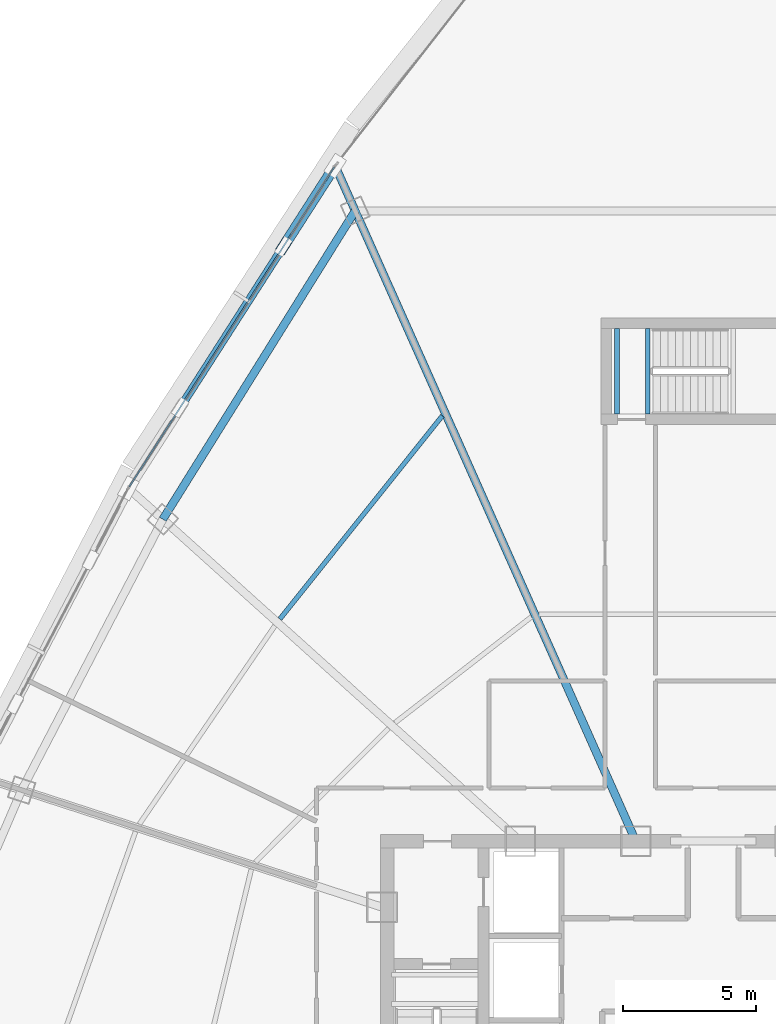
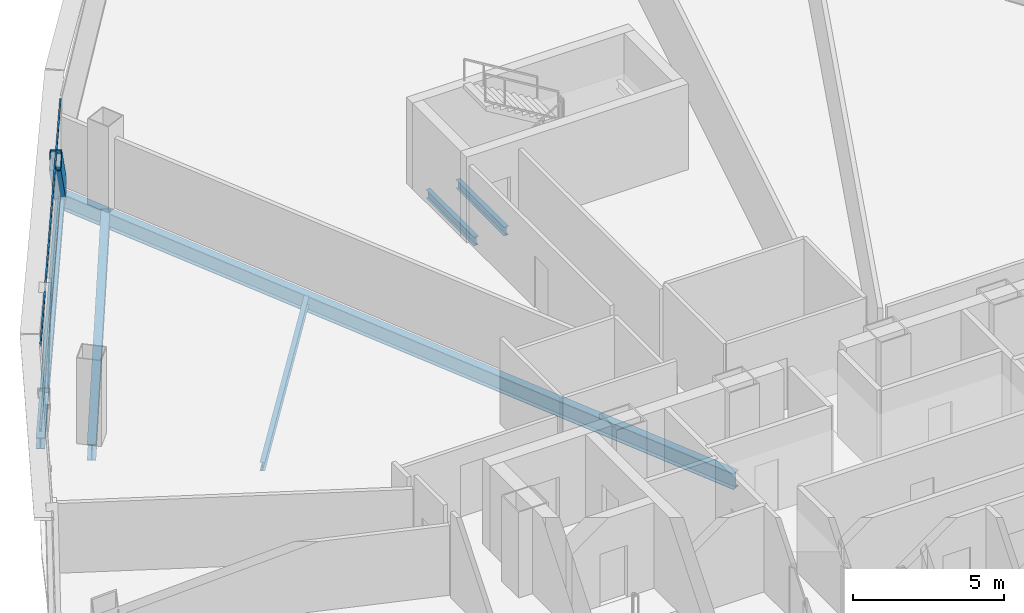
# One storey, part 18 of 37: 6 beams, 3 members, 1 element without a shape of its own.
"""IFC4 building model written with IfcOpenShell, lengths in metres."""

from ifc_helpers import new_model, si_unit, direction, frame, origin, origin_2d, place, context, subcontext, project, spatial, hollow_rectangle, i_section, extrude, source, transform, mapped, material, layer, layer_set, material_profile, profile_set, type_object, element, aggregate, save


model = new_model("IFC4")

# Units and contexts
model_context = context("Model", 3, precision=1e-05, world=origin(), true_north=direction((0.0, 1.0)))
body_context = subcontext(model_context, "Body", "Model", "MODEL_VIEW")
ifc_project = project(units=[si_unit("LENGTHUNIT", "METRE"), si_unit("AREAUNIT", "SQUARE_METRE"), si_unit("VOLUMEUNIT", "CUBIC_METRE"), si_unit("PLANEANGLEUNIT", "RADIAN"), si_unit("MASSUNIT", "GRAM", prefix="KILO"), si_unit("THERMODYNAMICTEMPERATUREUNIT", "KELVIN"), si_unit("POWERUNIT", "WATT")], contexts=[model_context])

# Site, building, storey
site_placement = place(None, origin())
site = spatial("IfcSite", under=ifc_project, at=site_placement, CompositionType="ELEMENT")
building_placement = place(site_placement, origin())
building = spatial("IfcBuilding", under=site, at=building_placement, Name="Yunzhuo Pagoda Commons", CompositionType="ELEMENT")
storey_placement = place(building_placement, frame((0.0, 0.0, 255.719970703125)))
storey = spatial("IfcBuildingStorey", under=building, at=storey_placement, Name="L64", CompositionType="ELEMENT", Elevation=255.719970703125)

# Beams
ifc_material_1 = material(Name="Structural steel Q355B", Category="steel")
ifc_material_profile_1 = material_profile(ifc_material_1, i_section(OverallWidth=0.175048828125, OverallDepth=0.35009765625, WebThickness=0.007080078125, FlangeThickness=0.010986328125, at=origin_2d()), Name="Structural steel Q355B")
ifc_profile_set_1 = profile_set([ifc_material_profile_1], Name="Structural steel Q355B")
beam_type_1 = type_object("IfcBeamType", Name="B-JS2 Joist HN 350x175x7x11", PredefinedType="JOIST", material=ifc_profile_set_1)
shared_shape_1 = source(origin(), body_context, "Body", "SweptSolid", [
    extrude(i_section(OverallWidth=0.175048828125, OverallDepth=0.35009765625, WebThickness=0.007080078125, FlangeThickness=0.010986328125, at=origin_2d()), origin(), (0.0, 0.0, 1.0), 3.199951171875),
])
for number, where, z_axis, x_axis, name in (
    (1, (44.39990234375, 56.199951171875, -0.375), (0.0, 1.0, 0.0), (-1.0, 0.0, 0.0), "L64 ST3 landing support beam 138A"),
    (2, (45.550048828125, 56.199951171875, -0.375), (0.0, 1.0, 0.0), (-1.0, 0.0, 0.0), "L64 ST3 landing support beam 138B"),
):
    element("IfcBeam", number, at=place(storey_placement, frame(where, z_axis=z_axis, x_axis=x_axis)), inside=storey, type_object=beam_type_1, Name=name, PredefinedType="JOIST", context=body_context, shape_type="MappedRepresentation", body=[
        mapped(shared_shape_1, transform((0.0, 0.0, 0.0), scale=1.0)),
    ])
ifc_material_profile_2 = material_profile(ifc_material_1, i_section(OverallWidth=0.300048828125, OverallDepth=0.64990234375, WebThickness=0.012939453125, FlangeThickness=0.02197265625, at=origin_2d()), Name="Structural steel Q355B")
ifc_profile_set_2 = profile_set([ifc_material_profile_2], Name="Structural steel Q355B")
beam_type_2 = type_object("IfcBeamType", Name="B-RG2 Beam HN 650x300x13x22", PredefinedType="BEAM", material=ifc_profile_set_2)
shared_shape_2 = source(origin(), body_context, "Body", "SweptSolid", [
    extrude(i_section(OverallWidth=0.300048828125, OverallDepth=0.64990234375, WebThickness=0.012939453125, FlangeThickness=0.02197265625, at=origin_2d()), origin(), (0.0, 0.0, 1.0), 13.615478515625),
])
beam_1_placement = place(storey_placement, frame((34.59326171875, 63.81201171875, -0.5849609375), z_axis=(-0.529178300485, -0.848510651846, 0.0), x_axis=(0.848510651846, -0.529178300485, 0.0)))
element("IfcBeam", 3, at=beam_1_placement, inside=storey, type_object=beam_type_2, Name="L64 column-ring beam 9", PredefinedType="BEAM", context=body_context, shape_type="MappedRepresentation", body=[
    mapped(shared_shape_2, transform((0.0, 0.0, 0.0), scale=1.0)),
])
shared_shape_3 = source(origin(), body_context, "Body", "SweptSolid", [
    extrude(i_section(OverallWidth=0.175048828125, OverallDepth=0.35009765625, WebThickness=0.007080078125, FlangeThickness=0.010986328125, at=origin_2d()), origin(), (0.0, 0.0, 1.0), 9.741455078125),
])
beam_2_placement = place(storey_placement, frame((37.85791015625, 56.1318359375, -0.43505859375), z_axis=(-0.624618636222, -0.780929932378, 0.0), x_axis=(0.780929932378, -0.624618636222, 0.0)))
element("IfcBeam", 4, at=beam_2_placement, inside=storey, type_object=beam_type_1, Name="L64 composite ring joist 2.9", PredefinedType="JOIST", context=body_context, shape_type="MappedRepresentation", body=[
    mapped(shared_shape_3, transform((0.0, 0.0, 0.0), scale=1.0)),
])
shared_shape_4 = source(origin(), body_context, "Body", "SweptSolid", [
    extrude(i_section(OverallWidth=0.300048828125, OverallDepth=0.64990234375, WebThickness=0.012939453125, FlangeThickness=0.02197265625, at=origin_2d()), origin(), (0.0, 0.0, 1.0), 27.535888671875),
])
beam_3_placement = place(storey_placement, frame((33.90625, 65.355224609375, -0.5849609375), z_axis=(0.406732330498, -0.913547377714, 0.0), x_axis=(0.913547377714, 0.406732330498, 0.0)))
element("IfcBeam", 5, at=beam_3_placement, inside=storey, type_object=beam_type_2, Name="L64 radial floor girder F3C1", PredefinedType="BEAM", context=body_context, shape_type="MappedRepresentation", body=[
    mapped(shared_shape_4, transform((0.0, 0.0, 0.0), scale=1.0)),
])
ifc_material_profile_3 = material_profile(ifc_material_1, i_section(OverallWidth=0.300048828125, OverallDepth=0.43994140625, WebThickness=0.010986328125, FlangeThickness=0.01806640625, at=origin_2d()), Name="Structural steel Q355B")
ifc_profile_set_3 = profile_set([ifc_material_profile_3], Name="Structural steel Q355B")
beam_type_3 = type_object("IfcBeamType", Name="B-SP2 Beam HM 440x300x11x18", PredefinedType="BEAM", material=ifc_profile_set_3)
shared_shape_5 = source(origin(), body_context, "Body", "SweptSolid", [
    extrude(i_section(OverallWidth=0.300048828125, OverallDepth=0.43994140625, WebThickness=0.010986328125, FlangeThickness=0.01806640625, at=origin_2d()), origin(), (0.0, 0.0, 1.0), 14.34619140625),
])
beam_4_placement = place(storey_placement, frame((33.84326171875, 65.49658203125, -0.47998046875), z_axis=(-0.539858467795, -0.841755804702, 0.0), x_axis=(0.841755804702, -0.539858467795, 0.0)))
element("IfcBeam", 6, at=beam_4_placement, inside=storey, type_object=beam_type_3, Name="L64 facade edge spandrel beam F3.1", PredefinedType="BEAM", context=body_context, shape_type="MappedRepresentation", body=[
    mapped(shared_shape_5, transform((0.0, 0.0, 0.0), scale=1.0)),
])

# Member
ifc_material_profile_4 = material_profile(ifc_material_1, hollow_rectangle(XDim=0.39990234375, YDim=0.719970703125, WallThickness=0.02392578125, at=origin_2d()), Name="Structural steel Q355B")
ifc_profile_set_4 = profile_set([ifc_material_profile_4], Name="Structural steel Q355B")
member_type_1 = type_object("IfcMemberType", Name="M-DL2 Brace BOX 720x400x24", PredefinedType="BRACE", material=ifc_profile_set_4)
shared_shape_6 = source(origin(), body_context, "Body", "SweptSolid", [
    extrude(hollow_rectangle(XDim=0.39990234375, YDim=0.719970703125, WallThickness=0.02392578125, at=origin_2d()), origin(), (0.0, 0.0, 1.0), 5.174560546875),
])
member_1_placement = place(storey_placement, frame((33.84326171875, 65.49658203125, -0.260009765625), z_axis=(-0.374188704594, -0.583434311059, 0.720823985473), x_axis=(0.84175303115, -0.539862792338, 0.0)))
element("IfcMember", 7, at=member_1_placement, inside=storey, type_object=member_type_1, Name="L64 facade diamond brace F3.1L", PredefinedType="BRACE", context=body_context, shape_type="MappedRepresentation", body=[
    mapped(shared_shape_6, transform((0.0, 0.0, 0.0), scale=1.0)),
])

# Curtain wall, members
ifc_material_2 = material(Name="Anodized aluminium 6063-T6", Category="aluminium")
ifc_layer = layer(ifc_material_2, 0.139892578125)
ifc_layer_set = layer_set([ifc_layer], Name="Anodized aluminium 6063-T6")
curtain_wall_type = type_object("IfcCurtainWallType", Name="CW-HI High-Zone Ribbon Curtain Wall", PredefinedType="NOTDEFINED", material=ifc_layer_set)
curtain_wall_placement = place(storey_placement, origin())
curtain_wall = element("IfcCurtainWall", 8, at=curtain_wall_placement, inside=storey, type_object=curtain_wall_type, Name="L64 curtain wall CW-L64-F3B2", PredefinedType="NOTDEFINED")
ifc_material_profile_5 = material_profile(ifc_material_2, hollow_rectangle(XDim=0.054931640625, YDim=0.1201171875, WallThickness=0.00341796875, at=origin_2d()), Name="Anodized aluminium 6063-T6")
ifc_profile_set_5 = profile_set([ifc_material_profile_5], Name="Anodized aluminium 6063-T6")
member_type_2 = type_object("IfcMemberType", Name="CW-HI-T Transom RHS 120x55x3.5", PredefinedType="USERDEFINED", material=ifc_profile_set_5)
shared_shape_7 = source(origin(), body_context, "Body", "SweptSolid", [
    extrude(hollow_rectangle(XDim=0.054931640625, YDim=0.1201171875, WallThickness=0.00341796875, at=origin_2d()), origin(), (0.0, 0.0, 1.0), 14.226318359375),
])
member_2_placement = place(storey_placement, frame((33.810791015625, 65.446044921875, 0.027587890625), z_axis=(-0.539876927328, -0.841743965431, 0.0), x_axis=(0.841743965431, -0.539876927328, 0.0)))
member_2 = element("IfcMember", 9, at=member_2_placement, type_object=member_type_2, Name="CW transom 1.1", ObjectType="TRANSOM", PredefinedType="USERDEFINED", context=body_context, shape_type="MappedRepresentation", body=[
    mapped(shared_shape_7, transform((0.0, 0.0, 0.0), scale=1.0)),
])
member_3_placement = place(storey_placement, frame((33.810791015625, 65.446044921875, 3.442626953125), z_axis=(-0.539876927328, -0.841743965431, 0.0), x_axis=(0.841743965431, -0.539876927328, 0.0)))
member_3 = element("IfcMember", 10, at=member_3_placement, type_object=member_type_2, Name="CW transom 1.2", ObjectType="TRANSOM", PredefinedType="USERDEFINED", context=body_context, shape_type="MappedRepresentation", body=[
    mapped(shared_shape_7, transform((0.0, 0.0, 0.0), scale=1.0)),
])
aggregate(curtain_wall, [member_2, member_3])

save(model, "model.ifc")
